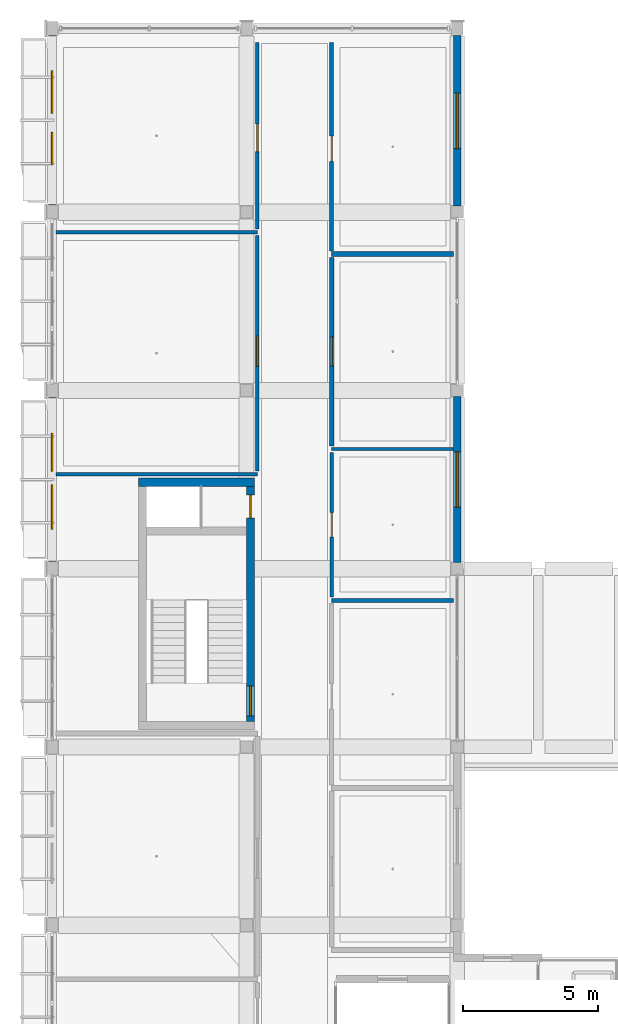
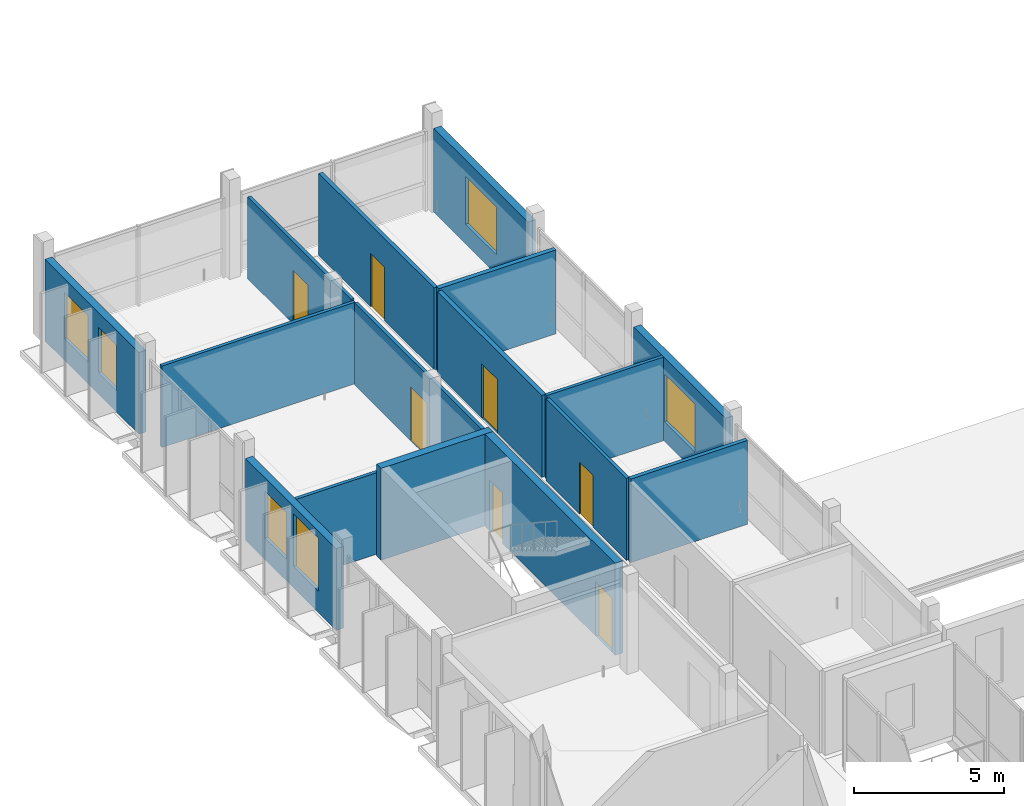
# One storey, part 58 of 86: 16 walls, 7 doors, 6 windows, 13 openings.
"""IFC4 building model written with IfcOpenShell, lengths in metres."""

import ifcopenshell
import ifcopenshell.guid

model = None  # the IFC model being written
_history = None  # IfcOwnerHistory: only IFC2X3 demands one
_inside = {}  # id of a spatial element -> (the spatial element, [elements in it])
_under = {}  # id of a project, library or spatial element -> (it, [spatial elements below it])
_declared = {}  # id of a project -> (the project, [libraries it declares])
_typed = {}  # id of a type object -> (the type object, [elements of that type])
_made_of = {}  # id of a material, layer set ... -> (it, [elements and type objects made of it])


def new_model(schema):
    """Start an empty IFC model of exactly this schema.

    Asked for "IFC4X3", IfcOpenShell would pick the latest addendum, in which some entities
    have other attributes; the version numbers below select the first issue.
    IFC2X3 requires an IfcOwnerHistory on every rooted entity: one is made here for all.
    """
    global model, _history
    if schema == "IFC4X3":
        model = ifcopenshell.file(schema_version=(4, 3, 0, 0))
    else:
        model = ifcopenshell.file(schema=schema)
    _inside.clear()
    _under.clear()
    _declared.clear()
    _typed.clear()
    _made_of.clear()
    _history = None
    if model.schema == "IFC2X3":
        org = make("IfcOrganization", Name="unknown")
        user = make(
            "IfcPersonAndOrganization",
            ThePerson=make("IfcPerson", FamilyName="unknown"),
            TheOrganization=org,
        )
        app = make(
            "IfcApplication",
            ApplicationDeveloper=org,
            Version="unknown",
            ApplicationFullName="unknown",
            ApplicationIdentifier="unknown",
        )
        _history = make(
            "IfcOwnerHistory",
            OwningUser=user,
            OwningApplication=app,
            ChangeAction="ADDED",
            CreationDate=0,
        )
    return model


def make(cls, **values):
    """One entity of the class cls with the attributes given. An attribute that is None is left unset."""
    return model.create_entity(
        cls, **{name: value for name, value in values.items() if value is not None}
    )


def rooted(cls, **values):
    """An entity with a GlobalId (a new one), such as an element, a storey or a relation."""
    return make(cls, GlobalId=ifcopenshell.guid.new(), OwnerHistory=_history, **values)


def si_unit(unit_type, name, prefix=None):
    """IfcSIUnit, for example si_unit("LENGTHUNIT", "METRE", prefix="MILLI")."""
    return make("IfcSIUnit", UnitType=unit_type, Prefix=prefix, Name=name)


def derived_unit(unit_type, elements):
    """IfcDerivedUnit: a product of units, each with its exponent."""
    return make(
        "IfcDerivedUnit",
        Elements=[
            make("IfcDerivedUnitElement", Unit=unit, Exponent=power)
            for unit, power in elements
        ],
        UnitType=unit_type,
    )


def assignment(units):
    """IfcUnitAssignment: the units of a project."""
    return None if units is None else make("IfcUnitAssignment", Units=units)


def point(xyz):
    """IfcCartesianPoint."""
    return None if xyz is None else make("IfcCartesianPoint", Coordinates=xyz)


def direction(xyz):
    """IfcDirection."""
    return None if xyz is None else make("IfcDirection", DirectionRatios=xyz)


def frame(location, z_axis=None, x_axis=None):
    """IfcAxis2Placement3D, a coordinate frame: its origin and axes. An axis left out is left unset."""
    return make(
        "IfcAxis2Placement3D",
        Location=point(location),
        Axis=direction(z_axis),
        RefDirection=direction(x_axis),
    )


def frame_2d(location, x_axis=None):
    """IfcAxis2Placement2D, a coordinate frame in the plane: its origin and x axis."""
    return make(
        "IfcAxis2Placement2D", Location=point(location), RefDirection=direction(x_axis)
    )


def origin():
    """The frame at (0, 0, 0) with its axes left unset."""
    return frame((0.0, 0.0, 0.0))


def origin_with_axes():
    """The frame at (0, 0, 0) with the z axis (0, 0, 1) and the x axis (1, 0, 0) written out."""
    return frame((0.0, 0.0, 0.0), z_axis=(0.0, 0.0, 1.0), x_axis=(1.0, 0.0, 0.0))


def place(relative_to, where):
    """IfcLocalPlacement: puts the frame where relative to a parent placement (None: the world)."""
    return make(
        "IfcLocalPlacement", PlacementRelTo=relative_to, RelativePlacement=where
    )


def context(
    kind, dimensions, precision=None, world=None, true_north=None, identifier=None
):
    """IfcGeometricRepresentationContext, for example the 3D "Model" context."""
    return make(
        "IfcGeometricRepresentationContext",
        ContextIdentifier=identifier,
        ContextType=kind,
        CoordinateSpaceDimension=dimensions,
        Precision=precision,
        WorldCoordinateSystem=world,
        TrueNorth=true_north,
    )


def subcontext(parent, identifier, kind, view, scale=None):
    """IfcGeometricRepresentationSubContext, for example "Body" below "Model"."""
    return make(
        "IfcGeometricRepresentationSubContext",
        ContextIdentifier=identifier,
        ContextType=kind,
        ParentContext=parent,
        TargetScale=scale,
        TargetView=view,
    )


def project(units=None, contexts=None):
    """IfcProject with its units and contexts."""
    return rooted(
        "IfcProject",
        Name="project",
        RepresentationContexts=contexts,
        UnitsInContext=assignment(units),
    )


def spatial(cls, under=None, at=None, **own):
    """A site, building, storey or space (cls), placed at a placement, below another one or the project."""
    s = rooted(cls, ObjectPlacement=at, **own)
    if under is not None:
        _under.setdefault(under.id(), (under, []))[1].append(s)
    return s


def profile(cls, at=None, kind="AREA", **sizes):
    """A parametric profile (cls). Its sizes go by their IFC names, for example OverallWidth=200.0."""
    return make(cls, ProfileType=kind, Position=at, **sizes)


def rectangle(**sizes):
    """IfcRectangleProfileDef."""
    return profile("IfcRectangleProfileDef", **sizes)


def extrude(swept, where, along, depth):
    """IfcExtrudedAreaSolid: the profile swept, set in the frame where, extruded along a direction by depth."""
    return make(
        "IfcExtrudedAreaSolid",
        SweptArea=swept,
        Position=where,
        ExtrudedDirection=direction(along),
        Depth=depth,
    )


def shape(context_of_items, identifier, shape_type, items):
    """IfcShapeRepresentation: the items that make up one representation, for example the "Body"."""
    return make(
        "IfcShapeRepresentation",
        ContextOfItems=context_of_items,
        RepresentationIdentifier=identifier,
        RepresentationType=shape_type,
        Items=items,
    )


def material(Name=None, Category=None):
    """IfcMaterial."""
    return make("IfcMaterial", Name=Name, Category=Category)


def layer(
    of_material, thickness, ventilated=None, Name=None, Category=None, Priority=None
):
    """IfcMaterialLayer: one layer of a wall or slab, of a material (None: an air gap)."""
    return make(
        "IfcMaterialLayer",
        Material=of_material,
        LayerThickness=thickness,
        IsVentilated=ventilated,
        Name=Name,
        Category=Category,
        Priority=Priority,
    )


def layer_set(layers, Name=None):
    """IfcMaterialLayerSet."""
    return make("IfcMaterialLayerSet", MaterialLayers=layers, LayerSetName=Name)


def made_of(thing, what):
    """Note that an element or type object is made of a material, layer set ...; save() writes the relation."""
    if what is not None:
        _made_of.setdefault(what.id(), (what, []))[1].append(thing)
    return thing


def type_object(cls, material=None, **own):
    """A type object (cls), such as IfcWallType, which elements share."""
    return made_of(rooted(cls, **own), material)


def element(
    cls,
    number,
    at=None,
    inside=None,
    cuts=None,
    type_object=None,
    material=None,
    context=None,
    identifier="Body",
    shape_type=None,
    held_by="IfcProductDefinitionShape",
    body=None,
    shapes=None,
    **own,
):
    """One element of the class cls, such as IfcWall. Its Tag is "e" and its number.

    at: its placement. inside: the storey or other place that contains it. cuts: it is an
    opening in that element (IfcRelVoidsElement). A single representation is given by context,
    identifier, shape_type and body (its items); several are given by shapes. held_by: the class
    of the entity that holds the representations. save() writes the other relations.
    """
    e = rooted(cls, Tag="e%d" % number, ObjectPlacement=at, **own)
    if body is not None:
        shapes = [shape(context, identifier, shape_type, body)]
    if shapes is not None:
        e.Representation = make(held_by, Representations=shapes)
    if inside is not None:
        _inside.setdefault(inside.id(), (inside, []))[1].append(e)
    if cuts is not None:
        rooted(
            "IfcRelVoidsElement", RelatingBuildingElement=cuts, RelatedOpeningElement=e
        )
    if type_object is not None:
        _typed.setdefault(type_object.id(), (type_object, []))[1].append(e)
    return made_of(e, material)


def fill(opening, filler):
    """IfcRelFillsElement: the door or window that sits in an opening."""
    return rooted(
        "IfcRelFillsElement",
        RelatingOpeningElement=opening,
        RelatedBuildingElement=filler,
    )


def aggregate(whole, parts):
    """IfcRelAggregates: a whole, such as a stair, and the parts it consists of."""
    return rooted("IfcRelAggregates", RelatingObject=whole, RelatedObjects=parts)


def save(model, path):
    """Write the relations noted so far, then the file.

    IfcRelAggregates (storeys below a building ...), IfcRelContainedInSpatialStructure (elements
    in a storey), IfcRelDefinesByType, IfcRelAssociatesMaterial and IfcRelDeclares: one each for
    every whole, place, type object, material and project.
    """
    for whole, parts in _under.values():
        aggregate(whole, parts)
    for where, things in _inside.values():
        rooted(
            "IfcRelContainedInSpatialStructure",
            RelatedElements=things,
            RelatingStructure=where,
        )
    for kind, things in _typed.values():
        rooted("IfcRelDefinesByType", RelatedObjects=things, RelatingType=kind)
    for what, things in _made_of.values():
        rooted("IfcRelAssociatesMaterial", RelatedObjects=things, RelatingMaterial=what)
    for by, libraries in _declared.values():
        rooted("IfcRelDeclares", RelatingContext=by, RelatedDefinitions=libraries)
    model.write(path)


model = new_model("IFC4")

# Units and contexts
model_context = context("Model", 3, precision=1e-05, world=origin(), true_north=direction((0.0, 1.0)))
body_context = subcontext(model_context, "Body", "Model", "MODEL_VIEW")
ifc_project = project(units=[si_unit("LENGTHUNIT", "METRE"), si_unit("AREAUNIT", "SQUARE_METRE"), si_unit("VOLUMEUNIT", "CUBIC_METRE"), si_unit("PLANEANGLEUNIT", "RADIAN"), si_unit("MASSUNIT", "GRAM", prefix="KILO"), derived_unit("THERMALTRANSMITTANCEUNIT", [(si_unit("POWERUNIT", "WATT"), 1), (si_unit("LENGTHUNIT", "METRE"), -2), (si_unit("THERMODYNAMICTEMPERATUREUNIT", "KELVIN"), -1)])], contexts=[model_context])

# Site, building, storey
site_placement = place(None, origin())
site = spatial("IfcSite", under=ifc_project, at=site_placement, CompositionType="ELEMENT")
building_placement = place(site_placement, origin())
building = spatial("IfcBuilding", under=site, at=building_placement, Name="Braskholm Square Health Centre", CompositionType="ELEMENT")
storey_placement = place(building_placement, frame((0.0, 0.0, 13.5)))
storey = spatial("IfcBuildingStorey", under=building, at=storey_placement, Name="L04", CompositionType="ELEMENT", Elevation=13.5)

# Wall, opening, door
ifc_material_1 = material(Name="Fire-rated gypsum board barrier")
ifc_layer_1 = layer(ifc_material_1, 0.175048828125)
ifc_layer_set_1 = layer_set([ifc_layer_1], Name="Fire-rated gypsum board barrier")
wall_type_1 = type_object("IfcWallType", Name="AmbulatoryFirePartition175", PredefinedType="PARTITIONING", material=ifc_layer_set_1)
wall_1_placement = place(storey_placement, frame((14.550048828125, 98.35009765625, 0.0), z_axis=(0.0, 0.0, 1.0), x_axis=(0.0, 1.0, 0.0)))
wall_1 = element("IfcWall", 1, at=wall_1_placement, inside=storey, type_object=wall_type_1, Name="Interior partition PWALL-L04-0200", PredefinedType="PARTITIONING", context=body_context, shape_type="SweptSolid", body=[
    extrude(rectangle(XDim=6.97998046875, YDim=0.175048828125, at=frame_2d((3.489990234375, 0.0))), origin(), (0.0, 0.0, 1.0), 3.344970703125),
])
opening_1_placement = place(wall_1_placement, frame((2.9599609375, 0.0, 0.0)))
opening_1 = element("IfcOpeningElement", 2, at=opening_1_placement, cuts=wall_1, Name="Opening D-18", PredefinedType="OPENING", context=body_context, shape_type="SweptSolid", body=[
    extrude(rectangle(XDim=1.06005859375, YDim=2.199951171875, at=frame_2d((0.530029296875, 1.10009765625))), frame((0.0, 0.09765625, 0.0), z_axis=(0.0, -1.0, 0.0), x_axis=(1.0, 0.0, 0.0)), (0.0, 0.0, 1.0), 0.195068359375),
])
ifc_material_2 = material(Name="Architectural bronze anodised aluminium", Category="aluminium")
door_type_1 = type_object("IfcDoorType", Name="DoorFirePartitionSingle1060x2200", OperationType="NOTDEFINED", PredefinedType="DOOR", material=ifc_material_2)
door_1_placement = place(opening_1_placement, frame((1.06005859375, 0.0, 0.0), z_axis=(0.0, 0.0, 1.0), x_axis=(-1.0, 0.0, 0.0)))
door_1 = element("IfcDoor", 3, at=door_1_placement, inside=storey, type_object=door_type_1, Name="Interior door 0092 L04", OperationType="SINGLE_SWING_RIGHT", OverallHeight=2.199951171875, OverallWidth=1.06005859375, PredefinedType="DOOR", context=body_context, shape_type="SweptSolid", body=[
    extrude(rectangle(XDim=1.06005859375, YDim=2.199951171875, at=frame_2d((0.530029296875, 1.10009765625))), frame((0.0, 0.02490234375, 0.0), z_axis=(0.0, -1.0, 0.0), x_axis=(1.0, 0.0, 0.0)), (0.0, 0.0, 1.0), 0.050048828125),
])
fill(opening_1, door_1)

# Wall
wall_2_placement = place(storey_placement, frame((14.550048828125, 105.449951171875, 0.0), z_axis=(0.0, 0.0, 1.0), x_axis=(1.0, 0.0, 0.0)))
element("IfcWall", 4, at=wall_2_placement, inside=storey, type_object=wall_type_1, Name="Interior partition PWALL-L04-0201", PredefinedType="PARTITIONING", context=body_context, shape_type="SweptSolid", body=[
    extrude(rectangle(XDim=4.510009765625, YDim=0.175048828125, at=frame_2d((2.2548828125, 0.0))), origin(), (0.0, 0.0, 1.0), 3.4150390625),
])

# Wall, opening, door
ifc_material_3 = material(Name="Acoustic gypsum board partition")
ifc_layer_2 = layer(ifc_material_3, 0.125)
ifc_layer_set_2 = layer_set([ifc_layer_2], Name="Acoustic gypsum board partition")
wall_type_2 = type_object("IfcWallType", Name="ClinicalExamPartition125", PredefinedType="PARTITIONING", material=ifc_layer_set_2)
wall_3_placement = place(storey_placement, frame((11.800048828125, 97.419921875, 0.0), z_axis=(0.0, 0.0, 1.0), x_axis=(0.0, 1.0, 0.0)))
wall_3 = element("IfcWall", 5, at=wall_3_placement, inside=storey, type_object=wall_type_2, Name="Interior partition PWALL-L04-0178", PredefinedType="PARTITIONING", context=body_context, shape_type="SweptSolid", body=[
    extrude(rectangle(XDim=8.719970703125, YDim=0.125, at=frame_2d((4.35986328125, 0.0))), origin(), (0.0, 0.0, 1.0), 3.344970703125),
])
opening_2_placement = place(wall_3_placement, frame((3.875, 0.0, 0.0)))
opening_2 = element("IfcOpeningElement", 6, at=opening_2_placement, cuts=wall_3, Name="Opening D-03", PredefinedType="OPENING", context=body_context, shape_type="SweptSolid", body=[
    extrude(rectangle(XDim=1.1201171875, YDim=2.199951171875, at=frame_2d((0.56005859375, 1.10009765625))), frame((0.0, 0.072509765625, 0.0), z_axis=(0.0, -1.0, 0.0), x_axis=(1.0, 0.0, 0.0)), (0.0, 0.0, 1.0), 0.14501953125),
])
door_type_2 = type_object("IfcDoorType", Name="DoorProcedure1120x2200", OperationType="NOTDEFINED", PredefinedType="DOOR", material=ifc_material_2)
door_2_placement = place(opening_2_placement, origin_with_axes())
door_2 = element("IfcDoor", 7, at=door_2_placement, inside=storey, type_object=door_type_2, Name="Interior door 0082 L04", OperationType="SINGLE_SWING_RIGHT", OverallHeight=2.199951171875, OverallWidth=1.1201171875, PredefinedType="DOOR", context=body_context, shape_type="SweptSolid", body=[
    extrude(rectangle(XDim=1.1201171875, YDim=2.199951171875, at=frame_2d((0.56005859375, 1.10009765625))), frame((0.0, 0.02490234375, 0.0), z_axis=(0.0, -1.0, 0.0), x_axis=(1.0, 0.0, 0.0)), (0.0, 0.0, 1.0), 0.050048828125),
])
fill(opening_2, door_2)

# Walls
for number, where, z_axis, x_axis, name in (
    (8, (4.340087890625, 106.260009765625, 0.0), (0.0, 0.0, 1.0), (1.0, 0.0, 0.0), "Interior partition PWALL-L04-0179"),
    (9, (4.340087890625, 97.300048828125, 0.0), (0.0, 0.0, 1.0), (1.0, 0.0, 0.0), "Interior partition PWALL-L04-0180"),
):
    element("IfcWall", number, at=place(storey_placement, frame(where, z_axis=z_axis, x_axis=x_axis)), inside=storey, type_object=wall_type_2, Name=name, PredefinedType="PARTITIONING", context=body_context, shape_type="SweptSolid", body=[
        extrude(rectangle(XDim=7.4599609375, YDim=0.125, at=frame_2d((3.72998046875, 0.0))), origin(), (0.0, 0.0, 1.0), 3.324951171875),
    ])

# Wall, opening, door
wall_4_placement = place(storey_placement, frame((11.800048828125, 106.3798828125, 0.0), z_axis=(0.0, 0.0, 1.0), x_axis=(0.0, 1.0, 0.0)))
wall_4 = element("IfcWall", 10, at=wall_4_placement, inside=storey, type_object=wall_type_2, Name="Interior partition PWALL-L04-0181", PredefinedType="PARTITIONING", context=body_context, shape_type="SweptSolid", body=[
    extrude(rectangle(XDim=6.900146484375, YDim=0.125, at=frame_2d((3.4501953125, 0.0))), origin(), (0.0, 0.0, 1.0), 3.344970703125),
])
opening_3_placement = place(wall_4_placement, frame((2.863037109375, 0.0, 0.0)))
opening_3 = element("IfcOpeningElement", 11, at=opening_3_placement, cuts=wall_4, Name="Opening D-25", PredefinedType="OPENING", context=body_context, shape_type="SweptSolid", body=[
    extrude(rectangle(XDim=1.02001953125, YDim=2.179931640625, at=frame_2d((0.510009765625, 1.08984375))), frame((0.0, 0.072509765625, 0.0), z_axis=(0.0, -1.0, 0.0), x_axis=(1.0, 0.0, 0.0)), (0.0, 0.0, 1.0), 0.14501953125),
])
door_type_3 = type_object("IfcDoorType", Name="DoorConsultWide1020x2180", OperationType="NOTDEFINED", PredefinedType="DOOR", material=ifc_material_2)
door_3_placement = place(opening_3_placement, origin_with_axes())
door_3 = element("IfcDoor", 12, at=door_3_placement, inside=storey, type_object=door_type_3, Name="Interior door 0083 L04", OperationType="SINGLE_SWING_LEFT", OverallHeight=2.179931640625, OverallWidth=1.02001953125, PredefinedType="DOOR", context=body_context, shape_type="SweptSolid", body=[
    extrude(rectangle(XDim=1.02001953125, YDim=2.179931640625, at=frame_2d((0.510009765625, 1.08984375))), frame((0.0, 0.02490234375, 0.0), z_axis=(0.0, -1.0, 0.0), x_axis=(1.0, 0.0, 0.0)), (0.0, 0.0, 1.0), 0.050048828125),
])
fill(opening_3, door_3)

wall_5_placement = place(storey_placement, frame((14.550048828125, 92.75, 0.0), z_axis=(0.0, 0.0, 1.0), x_axis=(0.0, 1.0, 0.0)))
wall_5 = element("IfcWall", 13, at=wall_5_placement, inside=storey, type_object=wall_type_2, Name="Interior partition PWALL-L04-0198", PredefinedType="PARTITIONING", context=body_context, shape_type="SweptSolid", body=[
    extrude(rectangle(XDim=5.360107421875, YDim=0.125, at=frame_2d((2.68017578125, 0.0))), origin(), (0.0, 0.0, 1.0), 3.344970703125),
])
opening_4_placement = place(wall_5_placement, frame((2.22998046875, 0.0, 0.0)))
opening_4 = element("IfcOpeningElement", 14, at=opening_4_placement, cuts=wall_5, Name="Opening D-07", PredefinedType="OPENING", context=body_context, shape_type="SweptSolid", body=[
    extrude(rectangle(XDim=0.89990234375, YDim=2.1201171875, at=frame_2d((0.449951171875, 1.06005859375))), frame((0.0, 0.072509765625, 0.0), z_axis=(0.0, -1.0, 0.0), x_axis=(1.0, 0.0, 0.0)), (0.0, 0.0, 1.0), 0.14501953125),
])
door_type_4 = type_object("IfcDoorType", Name="DoorProviderOffice900x2120", OperationType="NOTDEFINED", PredefinedType="DOOR", material=ifc_material_2)
door_4_placement = place(opening_4_placement, frame((0.89990234375, 0.0, 0.0), z_axis=(0.0, 0.0, 1.0), x_axis=(-1.0, 0.0, 0.0)))
door_4 = element("IfcDoor", 15, at=door_4_placement, inside=storey, type_object=door_type_4, Name="Interior door 0091 L04", OperationType="SINGLE_SWING_LEFT", OverallHeight=2.1201171875, OverallWidth=0.89990234375, PredefinedType="DOOR", context=body_context, shape_type="SweptSolid", body=[
    extrude(rectangle(XDim=0.89990234375, YDim=2.1201171875, at=frame_2d((0.449951171875, 1.06005859375))), frame((0.0, 0.02490234375, 0.0), z_axis=(0.0, -1.0, 0.0), x_axis=(1.0, 0.0, 0.0)), (0.0, 0.0, 1.0), 0.050048828125),
])
fill(opening_4, door_4)

# Walls
wall_6_placement = place(storey_placement, frame((14.550048828125, 98.22998046875, 0.0), z_axis=(0.0, 0.0, 1.0), x_axis=(1.0, 0.0, 0.0)))
element("IfcWall", 16, at=wall_6_placement, inside=storey, type_object=wall_type_2, Name="Interior partition PWALL-L04-0199", PredefinedType="PARTITIONING", context=body_context, shape_type="SweptSolid", body=[
    extrude(rectangle(XDim=4.510009765625, YDim=0.125, at=frame_2d((2.2548828125, 0.0))), origin(), (0.0, 0.0, 1.0), 3.4150390625),
])
ifc_layer_3 = layer(ifc_material_3, 0.14990234375)
ifc_layer_set_3 = layer_set([ifc_layer_3], Name="Acoustic gypsum board partition")
wall_type_3 = type_object("IfcWallType", Name="CorridorAcousticPartition150", PredefinedType="PARTITIONING", material=ifc_layer_set_3)
wall_7_placement = place(storey_placement, frame((14.550048828125, 92.6298828125, 0.0), z_axis=(0.0, 0.0, 1.0), x_axis=(1.0, 0.0, 0.0)))
element("IfcWall", 17, at=wall_7_placement, inside=storey, type_object=wall_type_3, Name="Interior partition PWALL-L04-0197", PredefinedType="PARTITIONING", context=body_context, shape_type="SweptSolid", body=[
    extrude(rectangle(XDim=4.510009765625, YDim=0.14990234375, at=frame_2d((2.2548828125, 0.0))), origin(), (0.0, 0.0, 1.0), 3.4150390625),
])

# Wall, opening, door
wall_8_placement = place(storey_placement, frame((14.550048828125, 105.570068359375, 0.0), z_axis=(0.0, 0.0, 1.0), x_axis=(0.0, 1.0, 0.0)))
wall_8 = element("IfcWall", 18, at=wall_8_placement, inside=storey, type_object=wall_type_3, Name="Interior partition PWALL-L04-0202", PredefinedType="PARTITIONING", context=body_context, shape_type="SweptSolid", body=[
    extrude(rectangle(XDim=7.7099609375, YDim=0.14990234375, at=frame_2d((3.85498046875, 0.0))), origin(), (0.0, 0.0, 1.0), 3.344970703125),
])
opening_5_placement = place(wall_8_placement, frame((3.30908203125, 0.0, 0.0)))
opening_5 = element("IfcOpeningElement", 19, at=opening_5_placement, cuts=wall_8, Name="Opening D-08", PredefinedType="OPENING", context=body_context, shape_type="SweptSolid", body=[
    extrude(rectangle(XDim=0.93994140625, YDim=2.179931640625, at=frame_2d((0.469970703125, 1.08984375))), frame((0.0, 0.0849609375, 0.0), z_axis=(0.0, -1.0, 0.0), x_axis=(1.0, 0.0, 0.0)), (0.0, 0.0, 1.0), 0.169921875),
])
door_type_5 = type_object("IfcDoorType", Name="DoorCounseling940x2180", OperationType="NOTDEFINED", PredefinedType="DOOR", material=ifc_material_2)
door_5_placement = place(opening_5_placement, frame((0.93994140625, 0.0, 0.0), z_axis=(0.0, 0.0, 1.0), x_axis=(-1.0, 0.0, 0.0)))
door_5 = element("IfcDoor", 20, at=door_5_placement, inside=storey, type_object=door_type_5, Name="Interior door 0093 L04", OperationType="SINGLE_SWING_LEFT", OverallHeight=2.179931640625, OverallWidth=0.93994140625, PredefinedType="DOOR", context=body_context, shape_type="SweptSolid", body=[
    extrude(rectangle(XDim=0.93994140625, YDim=2.179931640625, at=frame_2d((0.469970703125, 1.08984375))), frame((0.0, 0.02490234375, 0.0), z_axis=(0.0, -1.0, 0.0), x_axis=(1.0, 0.0, 0.0)), (0.0, 0.0, 1.0), 0.050048828125),
])
fill(opening_5, door_5)

# Wall, openings, windows
ifc_material_4 = material(Name="Precast concrete C40/50 architectural white", Category="concrete")
ifc_layer_4 = layer(ifc_material_4, 0.280029296875)
ifc_layer_set_4 = layer_set([ifc_layer_4], Name="Precast concrete C40/50 architectural white")
wall_type_4 = type_object("IfcWallType", Name="ExteriorPrecastSpandrelWall280", PredefinedType="SOLIDWALL", material=ifc_layer_set_4)
wall_9_placement = place(storey_placement, frame((4.199951171875, 100.137939453125, 0.0), z_axis=(0.0, 0.0, 1.0), x_axis=(0.0, -1.0, 0.0)))
wall_9 = element("IfcWall", 21, at=wall_9_placement, inside=storey, type_object=wall_type_4, Name="Exterior wall EWALL-L04-0034", PredefinedType="SOLIDWALL", context=body_context, shape_type="SweptSolid", body=[
    extrude(rectangle(XDim=6.075927734375, YDim=0.280029296875, at=frame_2d((3.0380859375, 0.0))), origin(), (0.0, 0.0, 1.0), 3.330078125),
])
opening_6_placement = place(wall_9_placement, frame((1.31494140625, 0.0, 0.8798828125)))
opening_6 = element("IfcOpeningElement", 22, at=opening_6_placement, cuts=wall_9, Name="Opening WN-36", PredefinedType="OPENING", context=body_context, shape_type="SweptSolid", body=[
    extrude(rectangle(XDim=1.419921875, YDim=1.89990234375, at=frame_2d((0.7099609375, 0.949951171875))), frame((0.0, 0.14990234375, 0.0), z_axis=(0.0, -1.0, 0.0), x_axis=(1.0, 0.0, 0.0)), (0.0, 0.0, 1.0), 0.300048828125),
])
opening_7_placement = place(wall_9_placement, frame((3.220947265625, 0.0, 0.8798828125)))
opening_7 = element("IfcOpeningElement", 23, at=opening_7_placement, cuts=wall_9, Name="Opening WN-41", PredefinedType="OPENING", context=body_context, shape_type="SweptSolid", body=[
    extrude(rectangle(XDim=1.659912109375, YDim=2.14990234375, at=frame_2d((0.830078125, 1.074951171875))), frame((0.0, 0.14990234375, 0.0), z_axis=(0.0, -1.0, 0.0), x_axis=(1.0, 0.0, 0.0)), (0.0, 0.0, 1.0), 0.300048828125),
])
ifc_material_5 = material(Name="Low-E triple insulating glass (VLT 0.64)", Category="glass")
window_type_1 = type_object("IfcWindowType", Name="WinArtDecoMed1420x1900", PartitioningType="SINGLE_PANEL", PredefinedType="WINDOW", material=ifc_material_5)
window_1_placement = place(opening_6_placement, origin_with_axes())
window_1 = element("IfcWindow", 24, at=window_1_placement, inside=storey, type_object=window_type_1, Name="Exterior window 0063 L04", OverallHeight=1.89990234375, OverallWidth=1.419921875, PartitioningType="SINGLE_PANEL", PredefinedType="WINDOW", context=body_context, shape_type="SweptSolid", body=[
    extrude(rectangle(XDim=1.419921875, YDim=1.89990234375, at=frame_2d((0.7099609375, 0.949951171875))), frame((0.0, 0.030029296875, 0.0), z_axis=(0.0, -1.0, 0.0), x_axis=(1.0, 0.0, 0.0)), (0.0, 0.0, 1.0), 0.06005859375),
])
fill(opening_6, window_1)
window_type_2 = type_object("IfcWindowType", Name="WinArtDecoTall1660x2150", PartitioningType="SINGLE_PANEL", PredefinedType="WINDOW", material=ifc_material_5)
window_2_placement = place(opening_7_placement, origin_with_axes())
window_2 = element("IfcWindow", 25, at=window_2_placement, inside=storey, type_object=window_type_2, Name="Exterior window 0064 L04", OverallHeight=2.14990234375, OverallWidth=1.659912109375, PartitioningType="SINGLE_PANEL", PredefinedType="WINDOW", context=body_context, shape_type="SweptSolid", body=[
    extrude(rectangle(XDim=1.659912109375, YDim=2.14990234375, at=frame_2d((0.830078125, 1.074951171875))), frame((0.0, 0.030029296875, 0.0), z_axis=(0.0, -1.0, 0.0), x_axis=(1.0, 0.0, 0.0)), (0.0, 0.0, 1.0), 0.06005859375),
])
fill(opening_7, window_2)

wall_10_placement = place(storey_placement, frame((4.199951171875, 113.5380859375, 0.0), z_axis=(0.0, 0.0, 1.0), x_axis=(0.0, -1.0, 0.0)))
wall_10 = element("IfcWall", 26, at=wall_10_placement, inside=storey, type_object=wall_type_4, Name="Exterior wall EWALL-L04-0035", PredefinedType="SOLIDWALL", context=body_context, shape_type="SweptSolid", body=[
    extrude(rectangle(XDim=6.276123046875, YDim=0.280029296875, at=frame_2d((3.13818359375, 0.0))), origin(), (0.0, 0.0, 1.0), 3.330078125),
])
opening_8_placement = place(wall_10_placement, frame((1.302001953125, 0.0, 0.8798828125)))
opening_8 = element("IfcOpeningElement", 27, at=opening_8_placement, cuts=wall_10, Name="Opening WN-37", PredefinedType="OPENING", context=body_context, shape_type="SweptSolid", body=[
    extrude(rectangle(XDim=1.580078125, YDim=1.89990234375, at=frame_2d((0.7900390625, 0.949951171875))), frame((0.0, 0.14990234375, 0.0), z_axis=(0.0, -1.0, 0.0), x_axis=(1.0, 0.0, 0.0)), (0.0, 0.0, 1.0), 0.300048828125),
])
opening_9_placement = place(wall_10_placement, frame((3.583984375, 0.0, 0.8798828125)))
opening_9 = element("IfcOpeningElement", 28, at=opening_9_placement, cuts=wall_10, Name="Opening WN-07", PredefinedType="OPENING", context=body_context, shape_type="SweptSolid", body=[
    extrude(rectangle(XDim=1.199951171875, YDim=1.85009765625, at=frame_2d((0.60009765625, 0.925048828125))), frame((0.0, 0.14990234375, 0.0), z_axis=(0.0, -1.0, 0.0), x_axis=(1.0, 0.0, 0.0)), (0.0, 0.0, 1.0), 0.300048828125),
])
window_type_3 = type_object("IfcWindowType", Name="WinArtDecoWide1580x1900", PartitioningType="SINGLE_PANEL", PredefinedType="WINDOW", material=ifc_material_5)
window_3_placement = place(opening_8_placement, origin_with_axes())
window_3 = element("IfcWindow", 29, at=window_3_placement, inside=storey, type_object=window_type_3, Name="Exterior window 0065 L04", OverallHeight=1.89990234375, OverallWidth=1.580078125, PartitioningType="SINGLE_PANEL", PredefinedType="WINDOW", context=body_context, shape_type="SweptSolid", body=[
    extrude(rectangle(XDim=1.580078125, YDim=1.89990234375, at=frame_2d((0.7900390625, 0.949951171875))), frame((0.0, 0.030029296875, 0.0), z_axis=(0.0, -1.0, 0.0), x_axis=(1.0, 0.0, 0.0)), (0.0, 0.0, 1.0), 0.06005859375),
])
fill(opening_8, window_3)
window_type_4 = type_object("IfcWindowType", Name="WinClinicalBay1200x1850", PartitioningType="SINGLE_PANEL", PredefinedType="WINDOW", material=ifc_material_5)
window_4_placement = place(opening_9_placement, origin_with_axes())
window_4 = element("IfcWindow", 30, at=window_4_placement, inside=storey, type_object=window_type_4, Name="Exterior window 0066 L04", OverallHeight=1.85009765625, OverallWidth=1.199951171875, PartitioningType="SINGLE_PANEL", PredefinedType="WINDOW", context=body_context, shape_type="SweptSolid", body=[
    extrude(rectangle(XDim=1.199951171875, YDim=1.85009765625, at=frame_2d((0.60009765625, 0.925048828125))), frame((0.0, 0.030029296875, 0.0), z_axis=(0.0, -1.0, 0.0), x_axis=(1.0, 0.0, 0.0)), (0.0, 0.0, 1.0), 0.06005859375),
])
fill(opening_9, window_4)

# Wall, opening, window
wall_11_placement = place(storey_placement, frame((19.199951171875, 94.027099609375, 0.0), z_axis=(0.0, 0.0, 1.0), x_axis=(0.0, 1.0, 0.0)))
wall_11 = element("IfcWall", 31, at=wall_11_placement, inside=storey, type_object=wall_type_4, Name="Exterior wall EWALL-L04-0138", PredefinedType="SOLIDWALL", context=body_context, shape_type="SweptSolid", body=[
    extrude(rectangle(XDim=6.14599609375, YDim=0.280029296875, at=frame_2d((3.072998046875, 0.0))), origin(), (0.0, 0.0, 1.0), 3.419921875),
])
opening_10_placement = place(wall_11_placement, frame((2.048095703125, 0.0, 0.800048828125)))
opening_10 = element("IfcOpeningElement", 32, at=opening_10_placement, cuts=wall_11, Name="Opening WN-25", PredefinedType="OPENING", context=body_context, shape_type="SweptSolid", body=[
    extrude(rectangle(XDim=2.050048828125, YDim=1.949951171875, at=frame_2d((1.02490234375, 0.97509765625))), frame((0.0, 0.14990234375, 0.0), z_axis=(0.0, -1.0, 0.0), x_axis=(1.0, 0.0, 0.0)), (0.0, 0.0, 1.0), 0.300048828125),
])
window_type_5 = type_object("IfcWindowType", Name="WinValleyTerrace2050x1950", PartitioningType="SINGLE_PANEL", PredefinedType="WINDOW", material=ifc_material_5)
window_5_placement = place(opening_10_placement, origin_with_axes())
window_5 = element("IfcWindow", 33, at=window_5_placement, inside=storey, type_object=window_type_5, Name="Exterior window 0198 L04", OverallHeight=1.949951171875, OverallWidth=2.050048828125, PartitioningType="SINGLE_PANEL", PredefinedType="WINDOW", context=body_context, shape_type="SweptSolid", body=[
    extrude(rectangle(XDim=2.050048828125, YDim=1.949951171875, at=frame_2d((1.02490234375, 0.97509765625))), frame((0.0, 0.030029296875, 0.0), z_axis=(0.0, -1.0, 0.0), x_axis=(1.0, 0.0, 0.0)), (0.0, 0.0, 1.0), 0.06005859375),
])
fill(opening_10, window_5)

wall_12_placement = place(storey_placement, frame((19.199951171875, 107.22705078125, 0.0), z_axis=(0.0, 0.0, 1.0), x_axis=(0.0, 1.0, 0.0)))
wall_12 = element("IfcWall", 34, at=wall_12_placement, inside=storey, type_object=wall_type_4, Name="Exterior wall EWALL-L04-0139", PredefinedType="SOLIDWALL", context=body_context, shape_type="SweptSolid", body=[
    extrude(rectangle(XDim=6.31103515625, YDim=0.280029296875, at=frame_2d((3.155517578125, 0.0))), origin(), (0.0, 0.0, 1.0), 3.419921875),
])
opening_11_placement = place(wall_12_placement, frame((2.1298828125, 0.0, 0.800048828125)))
opening_11 = element("IfcOpeningElement", 35, at=opening_11_placement, cuts=wall_12, Name="Opening WN-25", PredefinedType="OPENING", context=body_context, shape_type="SweptSolid", body=[
    extrude(rectangle(XDim=2.050048828125, YDim=1.949951171875, at=frame_2d((1.02490234375, 0.97509765625))), frame((0.0, 0.14990234375, 0.0), z_axis=(0.0, -1.0, 0.0), x_axis=(1.0, 0.0, 0.0)), (0.0, 0.0, 1.0), 0.300048828125),
])
window_6_placement = place(opening_11_placement, origin_with_axes())
window_6 = element("IfcWindow", 36, at=window_6_placement, inside=storey, type_object=window_type_5, Name="Exterior window 0199 L04", OverallHeight=1.949951171875, OverallWidth=2.050048828125, PartitioningType="SINGLE_PANEL", PredefinedType="WINDOW", context=body_context, shape_type="SweptSolid", body=[
    extrude(rectangle(XDim=2.050048828125, YDim=1.949951171875, at=frame_2d((1.02490234375, 0.97509765625))), frame((0.0, 0.030029296875, 0.0), z_axis=(0.0, -1.0, 0.0), x_axis=(1.0, 0.0, 0.0)), (0.0, 0.0, 1.0), 0.06005859375),
])
fill(opening_11, window_6)

# Wall
ifc_material_6 = material(Name="Concrete C40/50 (f'c = 40 MPa)", Category="concrete")
ifc_layer_5 = layer(ifc_material_6, 0.300048828125)
ifc_layer_set_5 = layer_set([ifc_layer_5], Name="Concrete C40/50 (f'c = 40 MPa)")
wall_type_5 = type_object("IfcWallType", Name="ShearCoreWall300", PredefinedType="SHEAR", material=ifc_layer_set_5)
wall_13_placement = place(storey_placement, frame((11.699951171875, 97.0, 0.0), z_axis=(0.0, 0.0, 1.0), x_axis=(-1.0, 0.0, 0.0)))
element("IfcWall", 37, at=wall_13_placement, inside=storey, type_object=wall_type_5, Name="CWALL-K3-L04 north wall", PredefinedType="SHEAR", context=body_context, shape_type="SweptSolid", body=[
    extrude(rectangle(XDim=4.300048828125, YDim=0.300048828125, at=frame_2d((2.14990234375, 0.0))), origin(), (0.0, 0.0, 1.0), 3.75),
])

# Wall, openings, doors
wall_14_placement = place(storey_placement, frame((11.550048828125, 88.14990234375, 0.0), z_axis=(0.0, 0.0, 1.0), x_axis=(0.0, 1.0, 0.0)))
wall_14 = element("IfcWall", 38, at=wall_14_placement, inside=storey, type_object=wall_type_5, Name="CWALL-K3-L04 east wall", PredefinedType="SHEAR", context=body_context, shape_type="SweptSolid", body=[
    extrude(rectangle(XDim=8.7001953125, YDim=0.300048828125, at=frame_2d((4.35009765625, 0.0))), origin(), (0.0, 0.0, 1.0), 3.75),
])
opening_12_placement = place(wall_14_placement, frame((0.199951171875, 0.0, 0.0)))
opening_12 = element("IfcOpeningElement", 39, at=opening_12_placement, cuts=wall_14, Name="Opening D-22", PredefinedType="OPENING", context=body_context, shape_type="SweptSolid", body=[
    extrude(rectangle(XDim=1.10009765625, YDim=2.199951171875, at=frame_2d((0.550048828125, 1.10009765625))), frame((0.0, 0.16015625, 0.0), z_axis=(0.0, -1.0, 0.0), x_axis=(1.0, 0.0, 0.0)), (0.0, 0.0, 1.0), 0.320068359375),
])
opening_13_placement = place(wall_14_placement, frame((7.52001953125, 0.0, 0.0)))
opening_13 = element("IfcOpeningElement", 40, at=opening_13_placement, cuts=wall_14, Name="Opening D-24", PredefinedType="OPENING", context=body_context, shape_type="SweptSolid", body=[
    extrude(rectangle(XDim=0.860107421875, YDim=2.050048828125, at=frame_2d((0.43017578125, 1.02490234375))), frame((0.0, 0.16015625, 0.0), z_axis=(0.0, -1.0, 0.0), x_axis=(1.0, 0.0, 0.0)), (0.0, 0.0, 1.0), 0.320068359375),
])
door_type_6 = type_object("IfcDoorType", Name="DoorRiserShaft860x2050", OperationType="NOTDEFINED", PredefinedType="DOOR", material=ifc_material_2)
door_6_placement = place(opening_13_placement, origin_with_axes())
door_6 = element("IfcDoor", 41, at=door_6_placement, inside=storey, type_object=door_type_6, Name="Core K3 service riser fire door L04", OperationType="SINGLE_SWING_RIGHT", OverallHeight=2.050048828125, OverallWidth=0.860107421875, PredefinedType="DOOR", context=body_context, shape_type="SweptSolid", body=[
    extrude(rectangle(XDim=0.860107421875, YDim=2.050048828125, at=frame_2d((0.43017578125, 1.02490234375))), frame((0.0, 0.02490234375, 0.0), z_axis=(0.0, -1.0, 0.0), x_axis=(1.0, 0.0, 0.0)), (0.0, 0.0, 1.0), 0.050048828125),
])
fill(opening_13, door_6)
door_type_7 = type_object("IfcDoorType", Name="DoorStairEnclosure1100x2200", OperationType="NOTDEFINED", PredefinedType="DOOR", material=ifc_material_2)
door_7_placement = place(opening_12_placement, origin_with_axes())
door_7 = element("IfcDoor", 42, at=door_7_placement, inside=storey, type_object=door_type_7, Name="Stair ST-03 door L04", OperationType="SINGLE_SWING_RIGHT", OverallHeight=2.199951171875, OverallWidth=1.10009765625, PredefinedType="DOOR", context=body_context, shape_type="SweptSolid", body=[
    extrude(rectangle(XDim=1.10009765625, YDim=2.199951171875, at=frame_2d((0.550048828125, 1.10009765625))), frame((0.0, 0.02490234375, 0.0), z_axis=(0.0, -1.0, 0.0), x_axis=(1.0, 0.0, 0.0)), (0.0, 0.0, 1.0), 0.050048828125),
])
fill(opening_12, door_7)

save(model, "model.ifc")
